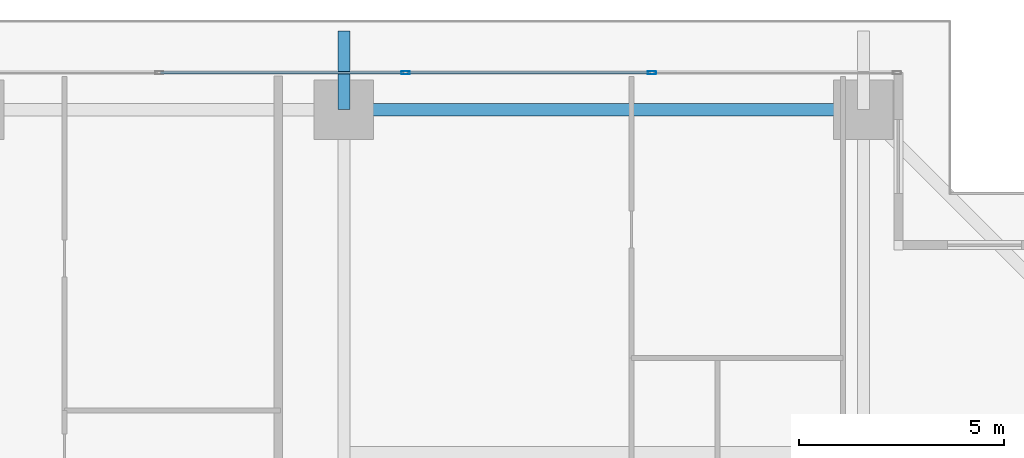
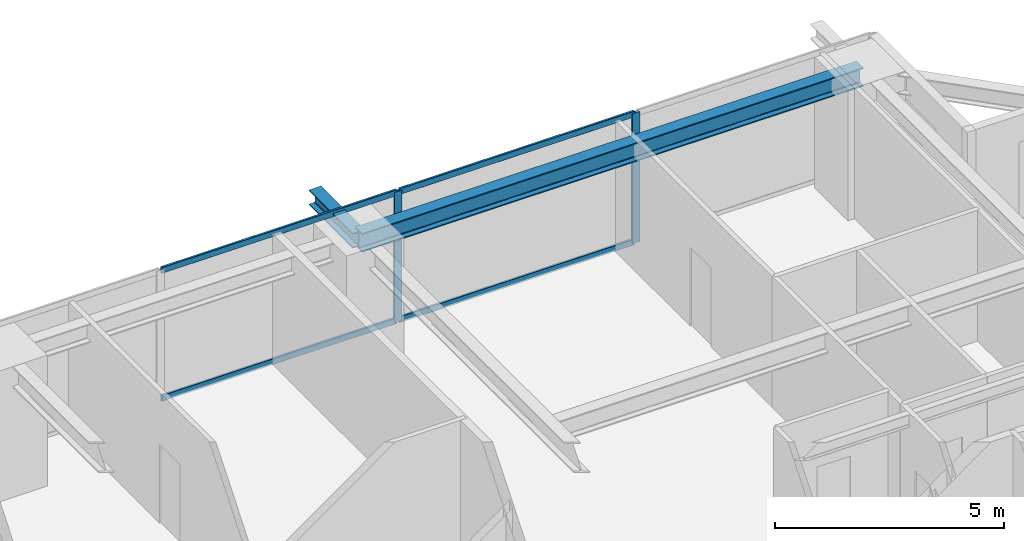
# One storey, part 23 of 39: 6 members, 2 beams, 1 element without a shape of its own.
"""IFC4 building model written with IfcOpenShell, lengths in metres."""

import ifcopenshell
import ifcopenshell.guid

model = None  # the IFC model being written
_history = None  # IfcOwnerHistory: only IFC2X3 demands one
_inside = {}  # id of a spatial element -> (the spatial element, [elements in it])
_under = {}  # id of a project, library or spatial element -> (it, [spatial elements below it])
_declared = {}  # id of a project -> (the project, [libraries it declares])
_typed = {}  # id of a type object -> (the type object, [elements of that type])
_made_of = {}  # id of a material, layer set ... -> (it, [elements and type objects made of it])


def new_model(schema):
    """Start an empty IFC model of exactly this schema.

    Asked for "IFC4X3", IfcOpenShell would pick the latest addendum, in which some entities
    have other attributes; the version numbers below select the first issue.
    IFC2X3 requires an IfcOwnerHistory on every rooted entity: one is made here for all.
    """
    global model, _history
    if schema == "IFC4X3":
        model = ifcopenshell.file(schema_version=(4, 3, 0, 0))
    else:
        model = ifcopenshell.file(schema=schema)
    _inside.clear()
    _under.clear()
    _declared.clear()
    _typed.clear()
    _made_of.clear()
    _history = None
    if model.schema == "IFC2X3":
        org = make("IfcOrganization", Name="unknown")
        user = make(
            "IfcPersonAndOrganization",
            ThePerson=make("IfcPerson", FamilyName="unknown"),
            TheOrganization=org,
        )
        app = make(
            "IfcApplication",
            ApplicationDeveloper=org,
            Version="unknown",
            ApplicationFullName="unknown",
            ApplicationIdentifier="unknown",
        )
        _history = make(
            "IfcOwnerHistory",
            OwningUser=user,
            OwningApplication=app,
            ChangeAction="ADDED",
            CreationDate=0,
        )
    return model


def make(cls, **values):
    """One entity of the class cls with the attributes given. An attribute that is None is left unset."""
    return model.create_entity(
        cls, **{name: value for name, value in values.items() if value is not None}
    )


def rooted(cls, **values):
    """An entity with a GlobalId (a new one), such as an element, a storey or a relation."""
    return make(cls, GlobalId=ifcopenshell.guid.new(), OwnerHistory=_history, **values)


def si_unit(unit_type, name, prefix=None):
    """IfcSIUnit, for example si_unit("LENGTHUNIT", "METRE", prefix="MILLI")."""
    return make("IfcSIUnit", UnitType=unit_type, Prefix=prefix, Name=name)


def assignment(units):
    """IfcUnitAssignment: the units of a project."""
    return None if units is None else make("IfcUnitAssignment", Units=units)


def point(xyz):
    """IfcCartesianPoint."""
    return None if xyz is None else make("IfcCartesianPoint", Coordinates=xyz)


def direction(xyz):
    """IfcDirection."""
    return None if xyz is None else make("IfcDirection", DirectionRatios=xyz)


def frame(location, z_axis=None, x_axis=None):
    """IfcAxis2Placement3D, a coordinate frame: its origin and axes. An axis left out is left unset."""
    return make(
        "IfcAxis2Placement3D",
        Location=point(location),
        Axis=direction(z_axis),
        RefDirection=direction(x_axis),
    )


def frame_2d(location, x_axis=None):
    """IfcAxis2Placement2D, a coordinate frame in the plane: its origin and x axis."""
    return make(
        "IfcAxis2Placement2D", Location=point(location), RefDirection=direction(x_axis)
    )


def origin():
    """The frame at (0, 0, 0) with its axes left unset."""
    return frame((0.0, 0.0, 0.0))


def origin_2d():
    """The frame at (0, 0) in the plane with its x axis left unset."""
    return frame_2d((0.0, 0.0))


def place(relative_to, where):
    """IfcLocalPlacement: puts the frame where relative to a parent placement (None: the world)."""
    return make(
        "IfcLocalPlacement", PlacementRelTo=relative_to, RelativePlacement=where
    )


def context(
    kind, dimensions, precision=None, world=None, true_north=None, identifier=None
):
    """IfcGeometricRepresentationContext, for example the 3D "Model" context."""
    return make(
        "IfcGeometricRepresentationContext",
        ContextIdentifier=identifier,
        ContextType=kind,
        CoordinateSpaceDimension=dimensions,
        Precision=precision,
        WorldCoordinateSystem=world,
        TrueNorth=true_north,
    )


def subcontext(parent, identifier, kind, view, scale=None):
    """IfcGeometricRepresentationSubContext, for example "Body" below "Model"."""
    return make(
        "IfcGeometricRepresentationSubContext",
        ContextIdentifier=identifier,
        ContextType=kind,
        ParentContext=parent,
        TargetScale=scale,
        TargetView=view,
    )


def project(units=None, contexts=None):
    """IfcProject with its units and contexts."""
    return rooted(
        "IfcProject",
        Name="project",
        RepresentationContexts=contexts,
        UnitsInContext=assignment(units),
    )


def spatial(cls, under=None, at=None, **own):
    """A site, building, storey or space (cls), placed at a placement, below another one or the project."""
    s = rooted(cls, ObjectPlacement=at, **own)
    if under is not None:
        _under.setdefault(under.id(), (under, []))[1].append(s)
    return s


def profile(cls, at=None, kind="AREA", **sizes):
    """A parametric profile (cls). Its sizes go by their IFC names, for example OverallWidth=200.0."""
    return make(cls, ProfileType=kind, Position=at, **sizes)


def hollow_rectangle(**sizes):
    """IfcRectangleHollowProfileDef."""
    return profile("IfcRectangleHollowProfileDef", **sizes)


def i_section(**sizes):
    """IfcIShapeProfileDef."""
    return profile("IfcIShapeProfileDef", **sizes)


def extrude(swept, where, along, depth):
    """IfcExtrudedAreaSolid: the profile swept, set in the frame where, extruded along a direction by depth."""
    return make(
        "IfcExtrudedAreaSolid",
        SweptArea=swept,
        Position=where,
        ExtrudedDirection=direction(along),
        Depth=depth,
    )


def shape(context_of_items, identifier, shape_type, items):
    """IfcShapeRepresentation: the items that make up one representation, for example the "Body"."""
    return make(
        "IfcShapeRepresentation",
        ContextOfItems=context_of_items,
        RepresentationIdentifier=identifier,
        RepresentationType=shape_type,
        Items=items,
    )


def source(mapping_origin, context_of_items, identifier, shape_type, items):
    """IfcRepresentationMap: a shape defined once, which mapped items show again and again."""
    return make(
        "IfcRepresentationMap",
        MappingOrigin=mapping_origin,
        MappedRepresentation=shape(context_of_items, identifier, shape_type, items),
    )


def transform(
    local_origin,
    x_axis=None,
    y_axis=None,
    z_axis=None,
    scale=None,
    scale2=None,
    scale3=None,
    uniform=True,
):
    """IfcCartesianTransformationOperator3D, or its non-uniform kind. x_axis, y_axis, z_axis: its Axis1, 2, 3."""
    if uniform:
        return make(
            "IfcCartesianTransformationOperator3D",
            Axis1=direction(x_axis),
            Axis2=direction(y_axis),
            LocalOrigin=point(local_origin),
            Scale=scale,
            Axis3=direction(z_axis),
        )
    return make(
        "IfcCartesianTransformationOperator3DnonUniform",
        Axis1=direction(x_axis),
        Axis2=direction(y_axis),
        LocalOrigin=point(local_origin),
        Scale=scale,
        Axis3=direction(z_axis),
        Scale2=scale2,
        Scale3=scale3,
    )


def mapped(mapping_source, mapping_target):
    """IfcMappedItem: shows the shape of a source again, moved by a transform."""
    return make(
        "IfcMappedItem", MappingSource=mapping_source, MappingTarget=mapping_target
    )


def material(Name=None, Category=None):
    """IfcMaterial."""
    return make("IfcMaterial", Name=Name, Category=Category)


def layer(
    of_material, thickness, ventilated=None, Name=None, Category=None, Priority=None
):
    """IfcMaterialLayer: one layer of a wall or slab, of a material (None: an air gap)."""
    return make(
        "IfcMaterialLayer",
        Material=of_material,
        LayerThickness=thickness,
        IsVentilated=ventilated,
        Name=Name,
        Category=Category,
        Priority=Priority,
    )


def layer_set(layers, Name=None):
    """IfcMaterialLayerSet."""
    return make("IfcMaterialLayerSet", MaterialLayers=layers, LayerSetName=Name)


def material_profile(
    of_material, cross_section, Name=None, Category=None, Priority=None
):
    """IfcMaterialProfile: a cross section and its material."""
    return make(
        "IfcMaterialProfile",
        Name=Name,
        Material=of_material,
        Profile=cross_section,
        Priority=Priority,
        Category=Category,
    )


def profile_set(profiles, Name=None, composite=None):
    """IfcMaterialProfileSet."""
    return make(
        "IfcMaterialProfileSet",
        Name=Name,
        MaterialProfiles=profiles,
        CompositeProfile=composite,
    )


def made_of(thing, what):
    """Note that an element or type object is made of a material, layer set ...; save() writes the relation."""
    if what is not None:
        _made_of.setdefault(what.id(), (what, []))[1].append(thing)
    return thing


def type_object(cls, material=None, **own):
    """A type object (cls), such as IfcWallType, which elements share."""
    return made_of(rooted(cls, **own), material)


def element(
    cls,
    number,
    at=None,
    inside=None,
    cuts=None,
    type_object=None,
    material=None,
    context=None,
    identifier="Body",
    shape_type=None,
    held_by="IfcProductDefinitionShape",
    body=None,
    shapes=None,
    **own,
):
    """One element of the class cls, such as IfcWall. Its Tag is "e" and its number.

    at: its placement. inside: the storey or other place that contains it. cuts: it is an
    opening in that element (IfcRelVoidsElement). A single representation is given by context,
    identifier, shape_type and body (its items); several are given by shapes. held_by: the class
    of the entity that holds the representations. save() writes the other relations.
    """
    e = rooted(cls, Tag="e%d" % number, ObjectPlacement=at, **own)
    if body is not None:
        shapes = [shape(context, identifier, shape_type, body)]
    if shapes is not None:
        e.Representation = make(held_by, Representations=shapes)
    if inside is not None:
        _inside.setdefault(inside.id(), (inside, []))[1].append(e)
    if cuts is not None:
        rooted(
            "IfcRelVoidsElement", RelatingBuildingElement=cuts, RelatedOpeningElement=e
        )
    if type_object is not None:
        _typed.setdefault(type_object.id(), (type_object, []))[1].append(e)
    return made_of(e, material)


def aggregate(whole, parts):
    """IfcRelAggregates: a whole, such as a stair, and the parts it consists of."""
    return rooted("IfcRelAggregates", RelatingObject=whole, RelatedObjects=parts)


def save(model, path):
    """Write the relations noted so far, then the file.

    IfcRelAggregates (storeys below a building ...), IfcRelContainedInSpatialStructure (elements
    in a storey), IfcRelDefinesByType, IfcRelAssociatesMaterial and IfcRelDeclares: one each for
    every whole, place, type object, material and project.
    """
    for whole, parts in _under.values():
        aggregate(whole, parts)
    for where, things in _inside.values():
        rooted(
            "IfcRelContainedInSpatialStructure",
            RelatedElements=things,
            RelatingStructure=where,
        )
    for kind, things in _typed.values():
        rooted("IfcRelDefinesByType", RelatedObjects=things, RelatingType=kind)
    for what, things in _made_of.values():
        rooted("IfcRelAssociatesMaterial", RelatedObjects=things, RelatingMaterial=what)
    for by, libraries in _declared.values():
        rooted("IfcRelDeclares", RelatingContext=by, RelatedDefinitions=libraries)
    model.write(path)


model = new_model("IFC4")

# Units and contexts
model_context = context("Model", 3, precision=1e-05, world=origin(), true_north=direction((0.0, 1.0)))
body_context = subcontext(model_context, "Body", "Model", "MODEL_VIEW")
ifc_project = project(units=[si_unit("LENGTHUNIT", "METRE"), si_unit("AREAUNIT", "SQUARE_METRE"), si_unit("VOLUMEUNIT", "CUBIC_METRE"), si_unit("PLANEANGLEUNIT", "RADIAN"), si_unit("MASSUNIT", "GRAM", prefix="KILO")], contexts=[model_context])

# Site, building, storey
site_placement = place(None, origin())
site = spatial("IfcSite", under=ifc_project, at=site_placement, CompositionType="ELEMENT")
building_placement = place(site_placement, origin())
building = spatial("IfcBuilding", under=site, at=building_placement, Name="Serunith Strait Residences", CompositionType="ELEMENT")
storey_placement = place(building_placement, frame((0.0, 0.0, 60.449951171875)))
storey = spatial("IfcBuildingStorey", under=building, at=storey_placement, Name="L14", CompositionType="ELEMENT", Elevation=60.449951171875)

# Beams
ifc_material_1 = material(Name="Steel S355J2", Category="steel")
ifc_material_profile_1 = material_profile(ifc_material_1, i_section(OverallWidth=0.300048828125, OverallDepth=0.5, WebThickness=0.014404296875, FlangeThickness=0.028076171875, FilletRadius=0.027099609375, at=origin_2d()), Name="HEB 500")
ifc_profile_set_1 = profile_set([ifc_material_profile_1], Name="Steel S355J2")
beam_type_1 = type_object("IfcBeamType", Name="BM-HEB500", PredefinedType="BEAM", material=ifc_profile_set_1)
shared_shape_1 = source(origin(), body_context, "Body", "SweptSolid", [
    extrude(i_section(OverallWidth=0.300048828125, OverallDepth=0.5, WebThickness=0.014404296875, FlangeThickness=0.028076171875, FilletRadius=0.027099609375, at=origin_2d()), origin(), (0.0, 0.0, 1.0), 12.650146484375),
])
beam_1_placement = place(storey_placement, frame((49.550048828125, 49.300048828125, 3.237060546875), z_axis=(-1.0, 0.0, 0.0), x_axis=(0.0, -1.0, 0.0)))
element("IfcBeam", 1, at=beam_1_placement, inside=storey, type_object=beam_type_1, Name="L14 Perimeter Ring Beam 09", PredefinedType="BEAM", context=body_context, shape_type="MappedRepresentation", body=[
    mapped(shared_shape_1, transform((0.0, 0.0, 0.0), scale=1.0)),
])
ifc_material_profile_2 = material_profile(ifc_material_1, i_section(OverallWidth=0.300048828125, OverallDepth=0.39990234375, WebThickness=0.013427734375, FlangeThickness=0.02392578125, FilletRadius=0.027099609375, at=origin_2d()), Name="HEB 400")
ifc_profile_set_2 = profile_set([ifc_material_profile_2], Name="Steel S355J2")
beam_type_2 = type_object("IfcBeamType", Name="BM-HEB400", PredefinedType="BEAM", material=ifc_profile_set_2)
shared_shape_2 = source(origin(), body_context, "Body", "SweptSolid", [
    extrude(i_section(OverallWidth=0.300048828125, OverallDepth=0.39990234375, WebThickness=0.013427734375, FlangeThickness=0.02392578125, FilletRadius=0.027099609375, at=origin_2d()), origin(), (0.0, 0.0, 1.0), 1.909912109375),
])
beam_2_placement = place(storey_placement, frame((36.89990234375, 49.300048828125, 3.257080078125), z_axis=(0.0, 1.0, 0.0), x_axis=(-1.0, 0.0, 0.0)))
element("IfcBeam", 2, at=beam_2_placement, inside=storey, type_object=beam_type_2, Name="L15 Cantilevered Balcony Rib TC-N3", PredefinedType="BEAM", context=body_context, shape_type="MappedRepresentation", body=[
    mapped(shared_shape_2, transform((0.0, 0.0, 0.0), scale=1.0)),
])

# Curtain wall, members
ifc_material_2 = material(Name="Pale-Champagne Anodised Aluminium", Category="aluminium")
ifc_layer = layer(ifc_material_2, 0.199951171875, Name="Pale-Champagne Anodised Aluminium")
ifc_layer_set = layer_set([ifc_layer], Name="Pale-Champagne Anodised Aluminium")
curtain_wall_type = type_object("IfcCurtainWallType", Name="CW-SYS1", PredefinedType="NOTDEFINED", material=ifc_layer_set)
curtain_wall_placement = place(storey_placement, origin())
curtain_wall = element("IfcCurtainWall", 3, at=curtain_wall_placement, inside=storey, type_object=curtain_wall_type, Name="L14 N Unitised Fritted Curtain Wall", PredefinedType="NOTDEFINED")
ifc_material_profile_3 = material_profile(ifc_material_2, hollow_rectangle(XDim=0.070068359375, YDim=0.199951171875, WallThickness=0.00390625, InnerFilletRadius=0.006103515625, OuterFilletRadius=0.010009765625, at=origin_2d()), Name="ALU 200x70x4")
ifc_profile_set_3 = profile_set([ifc_material_profile_3], Name="Pale-Champagne Anodised Aluminium")
member_type_1 = type_object("IfcMemberType", Name="CW-SYS1-MULL", PredefinedType="MULLION", material=ifc_profile_set_3)
shared_shape_3 = source(origin(), body_context, "Body", "SweptSolid", [
    extrude(hollow_rectangle(XDim=0.070068359375, YDim=0.199951171875, WallThickness=0.00390625, InnerFilletRadius=0.006103515625, OuterFilletRadius=0.010009765625, at=origin_2d()), origin(), (0.0, 0.0, 1.0), 3.47509765625),
])
member_1_placement = place(storey_placement, frame((44.39990234375, 50.199951171875, 0.0), z_axis=(0.0, 0.0, 1.0), x_axis=(0.0, -1.0, 0.0)))
member_1 = element("IfcMember", 4, at=member_1_placement, type_object=member_type_1, Name="CW-1 mullion 2", PredefinedType="MULLION", context=body_context, shape_type="MappedRepresentation", body=[
    mapped(shared_shape_3, transform((0.0, 0.0, 0.0), scale=1.0)),
])
member_2_placement = place(storey_placement, frame((38.39990234375, 50.199951171875, 0.0), z_axis=(0.0, 0.0, 1.0), x_axis=(0.0, -1.0, 0.0)))
member_2 = element("IfcMember", 5, at=member_2_placement, type_object=member_type_1, Name="CW-1 mullion 3", PredefinedType="MULLION", context=body_context, shape_type="MappedRepresentation", body=[
    mapped(shared_shape_3, transform((0.0, 0.0, 0.0), scale=1.0)),
])
ifc_material_profile_4 = material_profile(ifc_material_2, hollow_rectangle(XDim=0.06005859375, YDim=0.159912109375, WallThickness=0.00341796875, InnerFilletRadius=0.00537109375, OuterFilletRadius=0.0087890625, at=origin_2d()), Name="ALU 160x60x3.5")
ifc_profile_set_4 = profile_set([ifc_material_profile_4], Name="Pale-Champagne Anodised Aluminium")
member_type_2 = type_object("IfcMemberType", Name="CW-SYS1-TRAN", PredefinedType="USERDEFINED", material=ifc_profile_set_4)
shared_shape_4 = source(origin(), body_context, "Body", "SweptSolid", [
    extrude(hollow_rectangle(XDim=0.06005859375, YDim=0.159912109375, WallThickness=0.00341796875, InnerFilletRadius=0.00537109375, OuterFilletRadius=0.0087890625, at=origin_2d()), origin(), (0.0, 0.0, 1.0), 5.929931640625),
])
member_3_placement = place(storey_placement, frame((44.364990234375, 50.199951171875, 0.030029296875), z_axis=(-1.0, 0.0, 0.0), x_axis=(0.0, -1.0, 0.0)))
member_3 = element("IfcMember", 6, at=member_3_placement, type_object=member_type_2, Name="CW-1 transom 2.1", ObjectType="TRANSOM", PredefinedType="USERDEFINED", context=body_context, shape_type="MappedRepresentation", body=[
    mapped(shared_shape_4, transform((0.0, 0.0, 0.0), scale=1.0)),
])
member_4_placement = place(storey_placement, frame((44.364990234375, 50.199951171875, 3.445068359375), z_axis=(-1.0, 0.0, 0.0), x_axis=(0.0, -1.0, 0.0)))
member_4 = element("IfcMember", 7, at=member_4_placement, type_object=member_type_2, Name="CW-1 transom 2.2", ObjectType="TRANSOM", PredefinedType="USERDEFINED", context=body_context, shape_type="MappedRepresentation", body=[
    mapped(shared_shape_4, transform((0.0, 0.0, 0.0), scale=1.0)),
])
member_5_placement = place(storey_placement, frame((38.364990234375, 50.199951171875, 0.030029296875), z_axis=(-1.0, 0.0, 0.0), x_axis=(0.0, -1.0, 0.0)))
member_5 = element("IfcMember", 8, at=member_5_placement, type_object=member_type_2, Name="CW-1 transom 3.1", ObjectType="TRANSOM", PredefinedType="USERDEFINED", context=body_context, shape_type="MappedRepresentation", body=[
    mapped(shared_shape_4, transform((0.0, 0.0, 0.0), scale=1.0)),
])
member_6_placement = place(storey_placement, frame((38.364990234375, 50.199951171875, 3.445068359375), z_axis=(-1.0, 0.0, 0.0), x_axis=(0.0, -1.0, 0.0)))
member_6 = element("IfcMember", 9, at=member_6_placement, type_object=member_type_2, Name="CW-1 transom 3.2", ObjectType="TRANSOM", PredefinedType="USERDEFINED", context=body_context, shape_type="MappedRepresentation", body=[
    mapped(shared_shape_4, transform((0.0, 0.0, 0.0), scale=1.0)),
])
aggregate(curtain_wall, [member_1, member_2, member_3, member_4, member_5, member_6])

save(model, "model.ifc")
